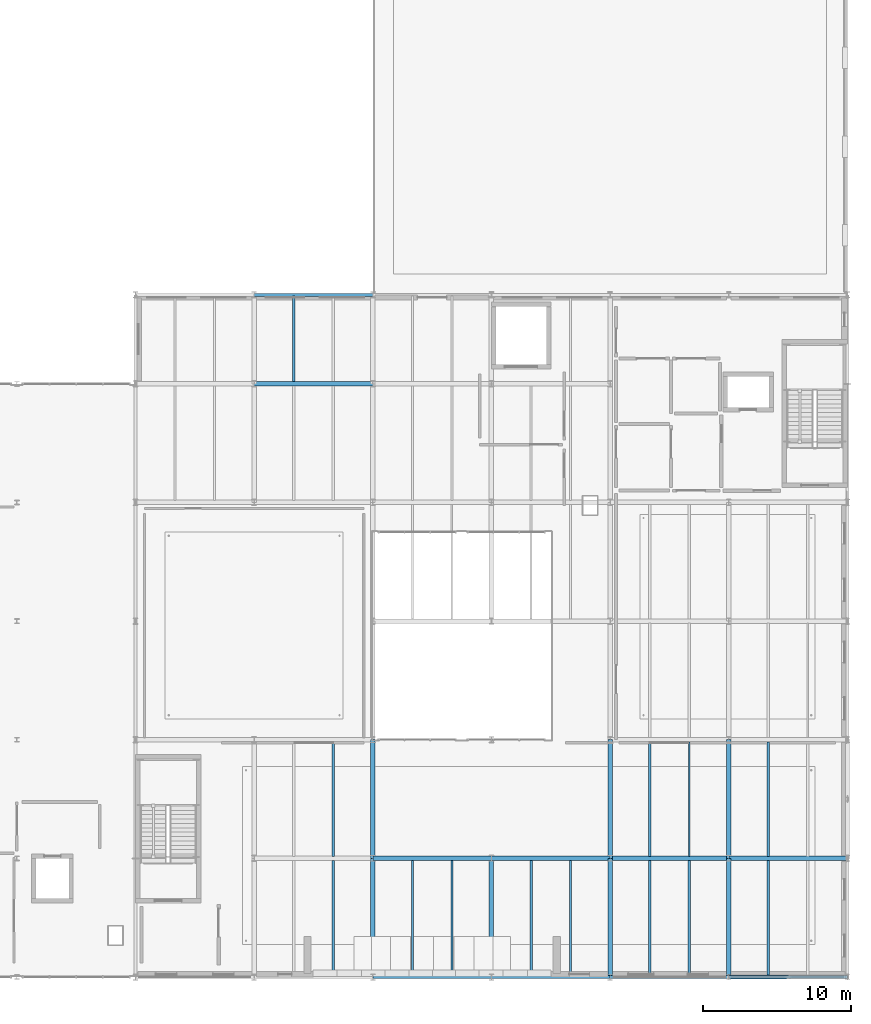
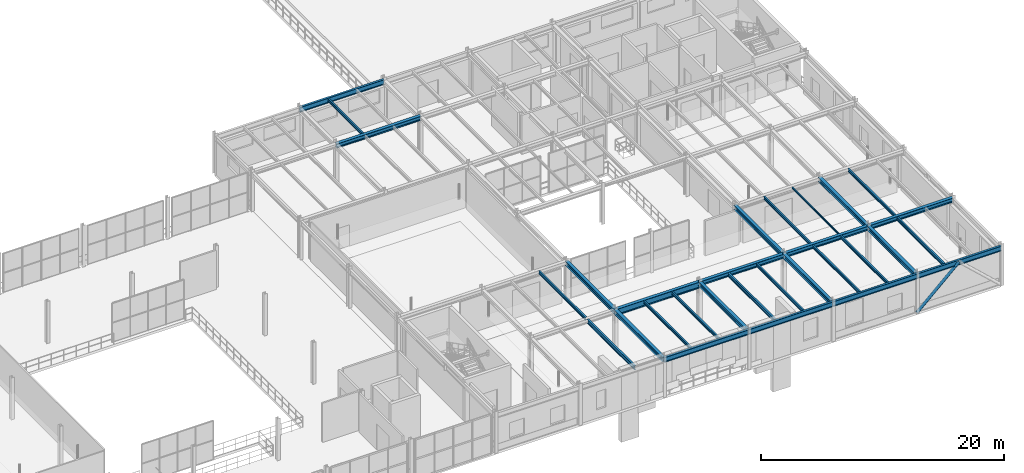
# One storey, part 25 of 67: 30 beams, 1 member.
"""IFC4 building model written with IfcOpenShell, lengths in metres."""

from ifc_helpers import new_model, si_unit, direction, frame, origin, origin_2d, place, context, subcontext, project, spatial, hollow_circle, i_section, extrude, material, material_profile, profile_set, type_object, element, save


model = new_model("IFC4")

# Units and contexts
model_context = context("Model", 3, precision=1e-05, world=origin(), true_north=direction((0.0, 1.0)))
body_context = subcontext(model_context, "Body", "Model", "MODEL_VIEW")
ifc_project = project(units=[si_unit("LENGTHUNIT", "METRE"), si_unit("AREAUNIT", "SQUARE_METRE"), si_unit("VOLUMEUNIT", "CUBIC_METRE"), si_unit("PLANEANGLEUNIT", "RADIAN"), si_unit("MASSUNIT", "GRAM", prefix="KILO")], contexts=[model_context])

# Site, building, storey
site_placement = place(None, origin())
site = spatial("IfcSite", under=ifc_project, at=site_placement, CompositionType="ELEMENT")
building_placement = place(site_placement, origin())
building = spatial("IfcBuilding", under=site, at=building_placement, Name="Sundkrona Museum", CompositionType="ELEMENT")
storey_placement = place(building_placement, frame((0.0, 0.0, 21.800048828125)))
storey = spatial("IfcBuildingStorey", under=building, at=storey_placement, Name="L04", CompositionType="ELEMENT", Elevation=21.800048828125)

# Beams
ifc_material = material(Name="Steel S355J2", Category="steel")
ifc_material_profile_1 = material_profile(ifc_material, i_section(OverallWidth=0.300048828125, OverallDepth=0.43994140625, WebThickness=0.011474609375, FlangeThickness=0.02099609375, FilletRadius=0.027099609375, at=origin_2d()), Name="HEA 450")
ifc_profile_set_1 = profile_set([ifc_material_profile_1], Name="Steel S355J2")
beam_type_1 = type_object("IfcBeamType", Name="B-HEA450", PredefinedType="BEAM", material=ifc_profile_set_1)
for number, where, z_axis, x_axis, name in (
    (1, (144.0, 8.0, 3.699951171875), (1.0, 0.0, 0.0), (0.0, 1.0, 0.0), "L04 Girder X-1711"),
    (2, (152.0, 8.0, 3.699951171875), (1.0, 0.0, 0.0), (0.0, 1.0, 0.0), "L04 Girder X-1712"),
    (3, (160.0, 8.0, 3.699951171875), (1.0, 0.0, 0.0), (0.0, 1.0, 0.0), "L04 Girder X-1713"),
    (4, (128.0, 40.0, 3.699951171875), (1.0, 0.0, 0.0), (0.0, 1.0, 0.0), "L04 Girder X-1729"),
    (5, (136.0, 0.0, 3.699951171875), (0.0, 1.0, 0.0), (-1.0, 0.0, 0.0), "L04 Girder Y-1748"),
    (6, (136.0, 8.0, 3.699951171875), (0.0, 1.0, 0.0), (-1.0, 0.0, 0.0), "L04 Girder Y-1749"),
    (7, (144.0, 0.0, 3.699951171875), (0.0, 1.0, 0.0), (-1.0, 0.0, 0.0), "L04 Girder Y-1754"),
    (8, (152.0, 0.0, 3.699951171875), (0.0, 1.0, 0.0), (-1.0, 0.0, 0.0), "L04 Girder Y-1758"),
    (9, (152.0, 8.0, 3.699951171875), (0.0, 1.0, 0.0), (-1.0, 0.0, 0.0), "L04 Girder Y-1759"),
    (10, (160.0, 0.0, 3.699951171875), (0.0, 1.0, 0.0), (-1.0, 0.0, 0.0), "L04 Girder Y-1764"),
    (11, (160.0, 8.0, 3.699951171875), (0.0, 1.0, 0.0), (-1.0, 0.0, 0.0), "L04 Girder Y-1765"),
):
    element("IfcBeam", number, at=place(storey_placement, frame(where, z_axis=z_axis, x_axis=x_axis)), inside=storey, type_object=beam_type_1, Name=name, PredefinedType="BEAM", context=body_context, shape_type="SweptSolid", body=[
        extrude(i_section(OverallWidth=0.300048828125, OverallDepth=0.43994140625, WebThickness=0.011474609375, FlangeThickness=0.02099609375, FilletRadius=0.027099609375, at=origin_2d()), origin(), (0.0, 0.0, 1.0), 8.0),
    ])
ifc_material_profile_2 = material_profile(ifc_material, i_section(OverallWidth=0.300048828125, OverallDepth=0.639892578125, WebThickness=0.013427734375, FlangeThickness=0.02587890625, FilletRadius=0.027099609375, at=origin_2d()), Name="HEA 650")
ifc_profile_set_2 = profile_set([ifc_material_profile_2], Name="Steel S355J2")
beam_type_2 = type_object("IfcBeamType", Name="B-HEA650", PredefinedType="BEAM", material=ifc_profile_set_2)
beam_1_placement = place(storey_placement, frame((136.0, 8.0, 3.599853515625), z_axis=(1.0, 0.0, 0.0), x_axis=(0.0, 1.0, 0.0)))
element("IfcBeam", 12, at=beam_1_placement, inside=storey, type_object=beam_type_2, Name="L04 Girder X-1710", PredefinedType="BEAM", context=body_context, shape_type="SweptSolid", body=[
    extrude(i_section(OverallWidth=0.300048828125, OverallDepth=0.639892578125, WebThickness=0.013427734375, FlangeThickness=0.02587890625, FilletRadius=0.027099609375, at=origin_2d()), origin(), (0.0, 0.0, 1.0), 8.0),
])

# Member
ifc_material_profile_3 = material_profile(ifc_material, hollow_circle(Radius=0.136474609375, WallThickness=0.012451171875, at=origin_2d()), Name="CHS 273.0x12.5")
ifc_profile_set_3 = profile_set([ifc_material_profile_3], Name="Steel S355J2")
member_type = type_object("IfcMemberType", Name="BR-CHS273", PredefinedType="BRACE", material=ifc_profile_set_3)
member_placement = place(storey_placement, frame((160.0, 0.0, 0.0), z_axis=(0.734103906603, 0.0, 0.679037152378), x_axis=(0.0, 1.0, 0.0)))
element("IfcMember", 13, at=member_placement, inside=storey, type_object=member_type, Name="CBR-1 L04 Concentric Chevron Brace 006A", PredefinedType="BRACE", context=body_context, shape_type="SweptSolid", body=[
    extrude(hollow_circle(Radius=0.136474609375, WallThickness=0.012451171875, at=origin_2d()), origin(), (0.0, 0.0, 1.0), 5.44873046875),
])

# Beams
ifc_material_profile_4 = material_profile(ifc_material, i_section(OverallWidth=0.091064453125, OverallDepth=0.179931640625, WebThickness=0.00537109375, FlangeThickness=0.008056640625, FilletRadius=0.009033203125, at=origin_2d()), Name="IPE 180")
ifc_profile_set_4 = profile_set([ifc_material_profile_4], Name="Steel S355J2")
beam_type_3 = type_object("IfcBeamType", Name="J-IPE180", PredefinedType="JOIST", material=ifc_profile_set_4)
beam_2_placement = place(storey_placement, frame((157.333251953125, 8.14404296875, 3.829833984375), z_axis=(0.0, 1.0, 0.0), x_axis=(-1.0, 0.0, 0.0)))
element("IfcBeam", 14, at=beam_2_placement, inside=storey, type_object=beam_type_3, Name="L04 Composite Joist 1215", PredefinedType="JOIST", context=body_context, shape_type="SweptSolid", body=[
    extrude(i_section(OverallWidth=0.091064453125, OverallDepth=0.179931640625, WebThickness=0.00537109375, FlangeThickness=0.008056640625, FilletRadius=0.009033203125, at=origin_2d()), origin(), (0.0, 0.0, 1.0), 7.7119140625),
])
ifc_material_profile_5 = material_profile(ifc_material, i_section(OverallWidth=0.14990234375, OverallDepth=0.300048828125, WebThickness=0.007080078125, FlangeThickness=0.0107421875, FilletRadius=0.014892578125, at=origin_2d()), Name="IPE 300")
ifc_profile_set_5 = profile_set([ifc_material_profile_5], Name="Steel S355J2")
beam_type_4 = type_object("IfcBeamType", Name="J-IPE300", PredefinedType="JOIST", material=ifc_profile_set_5)
beam_3_placement = place(storey_placement, frame((133.333251953125, 8.14404296875, 3.77001953125), z_axis=(0.0, 1.0, 0.0), x_axis=(-1.0, 0.0, 0.0)))
element("IfcBeam", 15, at=beam_3_placement, inside=storey, type_object=beam_type_4, Name="L04 Composite Joist 1192", PredefinedType="JOIST", context=body_context, shape_type="SweptSolid", body=[
    extrude(i_section(OverallWidth=0.14990234375, OverallDepth=0.300048828125, WebThickness=0.007080078125, FlangeThickness=0.0107421875, FilletRadius=0.014892578125, at=origin_2d()), origin(), (0.0, 0.0, 1.0), 7.7119140625),
])
beam_4_placement = place(storey_placement, frame((130.666748046875, 40.14404296875, 3.77001953125), z_axis=(0.0, 1.0, 0.0), x_axis=(-1.0, 0.0, 0.0)))
element("IfcBeam", 16, at=beam_4_placement, inside=storey, type_object=beam_type_4, Name="L04 Composite Joist 1195", PredefinedType="JOIST", context=body_context, shape_type="SweptSolid", body=[
    extrude(i_section(OverallWidth=0.14990234375, OverallDepth=0.300048828125, WebThickness=0.007080078125, FlangeThickness=0.0107421875, FilletRadius=0.014892578125, at=origin_2d()), origin(), (0.0, 0.0, 1.0), 5.761962890625),
])
for number, where, z_axis, x_axis, name in (
    (17, (138.666748046875, 0.093994140625, 3.77001953125), (0.0, 1.0, 0.0), (-1.0, 0.0, 0.0), "L04 Composite Joist 1197"),
    (18, (141.333251953125, 0.093994140625, 3.77001953125), (0.0, 1.0, 0.0), (-1.0, 0.0, 0.0), "L04 Composite Joist 1198"),
    (19, (149.333251953125, 0.093994140625, 3.77001953125), (0.0, 1.0, 0.0), (-1.0, 0.0, 0.0), "L04 Composite Joist 1206"),
    (20, (154.666748046875, 0.093994140625, 3.77001953125), (0.0, 1.0, 0.0), (-1.0, 0.0, 0.0), "L04 Composite Joist 1212"),
    (21, (157.333251953125, 0.093994140625, 3.77001953125), (0.0, 1.0, 0.0), (-1.0, 0.0, 0.0), "L04 Composite Joist 1213"),
):
    element("IfcBeam", number, at=place(storey_placement, frame(where, z_axis=z_axis, x_axis=x_axis)), inside=storey, type_object=beam_type_4, Name=name, PredefinedType="JOIST", context=body_context, shape_type="SweptSolid", body=[
        extrude(i_section(OverallWidth=0.14990234375, OverallDepth=0.300048828125, WebThickness=0.007080078125, FlangeThickness=0.0107421875, FilletRadius=0.014892578125, at=origin_2d()), origin(), (0.0, 0.0, 1.0), 7.761962890625),
    ])
for number, where, z_axis, x_axis, name in (
    (22, (154.666748046875, 8.14404296875, 3.77001953125), (0.0, 1.0, 0.0), (-1.0, 0.0, 0.0), "L04 Composite Joist 1214"),
    (23, (162.666748046875, 8.14404296875, 3.77001953125), (0.0, 1.0, 0.0), (-1.0, 0.0, 0.0), "L04 Composite Joist 1222"),
):
    element("IfcBeam", number, at=place(storey_placement, frame(where, z_axis=z_axis, x_axis=x_axis)), inside=storey, type_object=beam_type_4, Name=name, PredefinedType="JOIST", context=body_context, shape_type="SweptSolid", body=[
        extrude(i_section(OverallWidth=0.14990234375, OverallDepth=0.300048828125, WebThickness=0.007080078125, FlangeThickness=0.0107421875, FilletRadius=0.014892578125, at=origin_2d()), origin(), (0.0, 0.0, 1.0), 7.7119140625),
    ])
ifc_material_profile_6 = material_profile(ifc_material, i_section(OverallWidth=0.159912109375, OverallDepth=0.330078125, WebThickness=0.007568359375, FlangeThickness=0.011474609375, FilletRadius=0.01806640625, at=origin_2d()), Name="IPE 330")
ifc_profile_set_6 = profile_set([ifc_material_profile_6], Name="Steel S355J2")
beam_type_5 = type_object("IfcBeamType", Name="J-IPE330", PredefinedType="JOIST", material=ifc_profile_set_6)
beam_5_placement = place(storey_placement, frame((162.666748046875, 0.093994140625, 3.7548828125), z_axis=(0.0, 1.0, 0.0), x_axis=(-1.0, 0.0, 0.0)))
element("IfcBeam", 24, at=beam_5_placement, inside=storey, type_object=beam_type_5, Name="L04 Composite Joist 1220", PredefinedType="JOIST", context=body_context, shape_type="SweptSolid", body=[
    extrude(i_section(OverallWidth=0.159912109375, OverallDepth=0.330078125, WebThickness=0.007568359375, FlangeThickness=0.011474609375, FilletRadius=0.01806640625, at=origin_2d()), origin(), (0.0, 0.0, 1.0), 7.761962890625),
])
ifc_material_profile_7 = material_profile(ifc_material, i_section(OverallWidth=0.169921875, OverallDepth=0.360107421875, WebThickness=0.008056640625, FlangeThickness=0.0126953125, FilletRadius=0.01806640625, at=origin_2d()), Name="IPE 360")
ifc_profile_set_7 = profile_set([ifc_material_profile_7], Name="Steel S355J2")
beam_type_6 = type_object("IfcBeamType", Name="J-IPE360", PredefinedType="JOIST", material=ifc_profile_set_7)
beam_6_placement = place(storey_placement, frame((146.666748046875, 0.093994140625, 3.739990234375), z_axis=(0.0, 1.0, 0.0), x_axis=(-1.0, 0.0, 0.0)))
element("IfcBeam", 25, at=beam_6_placement, inside=storey, type_object=beam_type_6, Name="L04 Composite Joist 1205", PredefinedType="JOIST", context=body_context, shape_type="SweptSolid", body=[
    extrude(i_section(OverallWidth=0.169921875, OverallDepth=0.360107421875, WebThickness=0.008056640625, FlangeThickness=0.0126953125, FilletRadius=0.01806640625, at=origin_2d()), origin(), (0.0, 0.0, 1.0), 7.761962890625),
])
ifc_material_profile_8 = material_profile(ifc_material, i_section(OverallWidth=0.179931640625, OverallDepth=0.39990234375, WebThickness=0.008544921875, FlangeThickness=0.013427734375, FilletRadius=0.02099609375, at=origin_2d()), Name="IPE 400")
ifc_profile_set_8 = profile_set([ifc_material_profile_8], Name="Steel S355J2")
beam_type_7 = type_object("IfcBeamType", Name="J-IPE400", PredefinedType="JOIST", material=ifc_profile_set_8)
beam_7_placement = place(storey_placement, frame((133.333251953125, 0.093994140625, 3.719970703125), z_axis=(0.0, 1.0, 0.0), x_axis=(-1.0, 0.0, 0.0)))
element("IfcBeam", 26, at=beam_7_placement, inside=storey, type_object=beam_type_7, Name="L04 Composite Joist 1190", PredefinedType="JOIST", context=body_context, shape_type="SweptSolid", body=[
    extrude(i_section(OverallWidth=0.179931640625, OverallDepth=0.39990234375, WebThickness=0.008544921875, FlangeThickness=0.013427734375, FilletRadius=0.02099609375, at=origin_2d()), origin(), (0.0, 0.0, 1.0), 7.761962890625),
])
ifc_material_profile_9 = material_profile(ifc_material, i_section(OverallWidth=0.199951171875, OverallDepth=0.5, WebThickness=0.01025390625, FlangeThickness=0.01611328125, FilletRadius=0.02099609375, at=origin_2d()), Name="IPE 500")
ifc_profile_set_9 = profile_set([ifc_material_profile_9], Name="Steel S355J2")
beam_type_8 = type_object("IfcBeamType", Name="SP-IPE500", PredefinedType="SPANDREL", material=ifc_profile_set_9)
for number, where, z_axis, x_axis, name in (
    (27, (136.0, 0.0, 3.669921875), (1.0, 0.0, 0.0), (0.0, 1.0, 0.0), "L04 Girder X-1705"),
    (28, (144.0, 0.0, 3.669921875), (1.0, 0.0, 0.0), (0.0, 1.0, 0.0), "L04 Girder X-1706"),
    (29, (152.0, 0.0, 3.669921875), (1.0, 0.0, 0.0), (0.0, 1.0, 0.0), "L04 Girder X-1707"),
    (30, (160.0, 0.0, 3.669921875), (1.0, 0.0, 0.0), (0.0, 1.0, 0.0), "L04 Girder X-1708"),
    (31, (128.0, 46.0, 3.669921875), (1.0, 0.0, 0.0), (0.0, 1.0, 0.0), "L04 Girder X-1733"),
):
    element("IfcBeam", number, at=place(storey_placement, frame(where, z_axis=z_axis, x_axis=x_axis)), inside=storey, type_object=beam_type_8, Name=name, PredefinedType="SPANDREL", context=body_context, shape_type="SweptSolid", body=[
        extrude(i_section(OverallWidth=0.199951171875, OverallDepth=0.5, WebThickness=0.01025390625, FlangeThickness=0.01611328125, FilletRadius=0.02099609375, at=origin_2d()), origin(), (0.0, 0.0, 1.0), 8.0),
    ])

save(model, "model.ifc")
